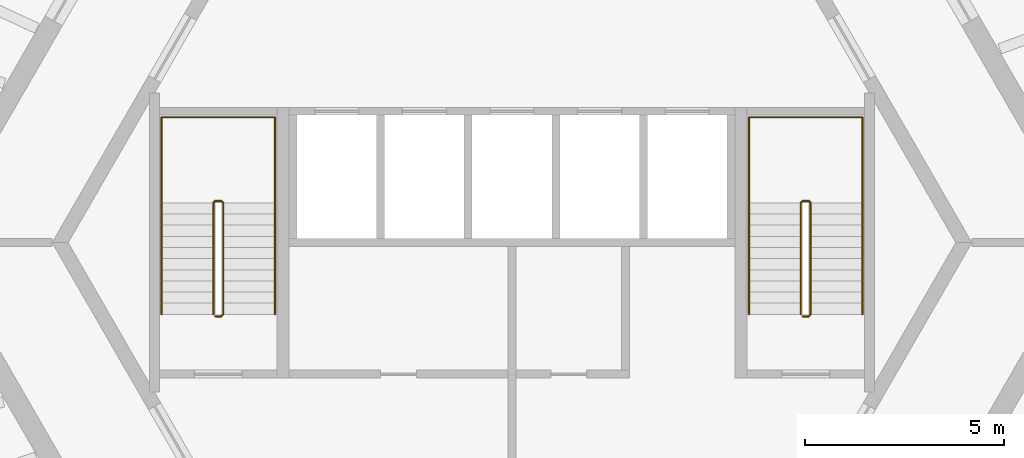
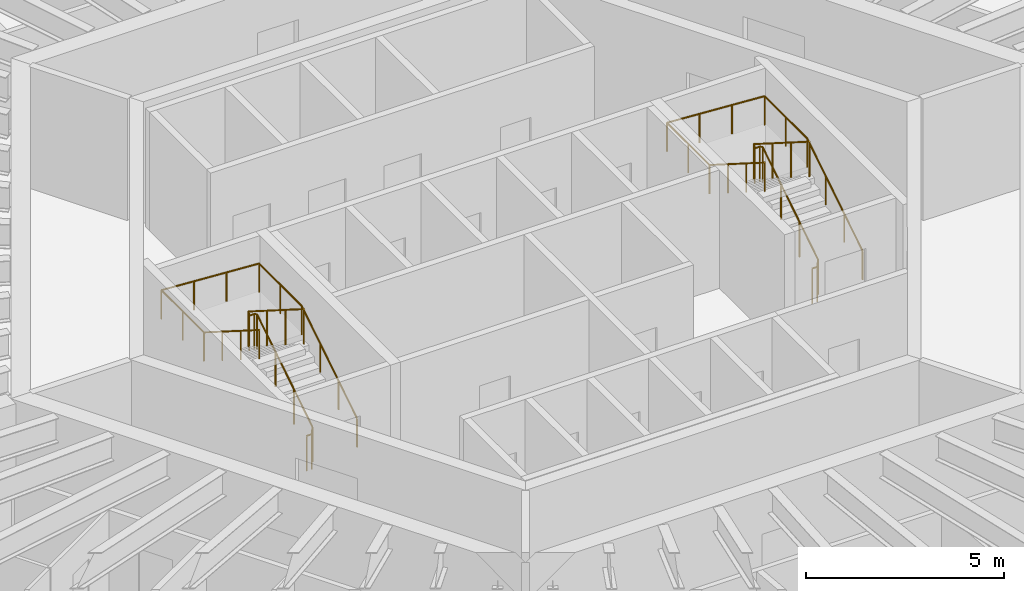
# One storey, part 10 of 10: 4 railings.
"""IFC4 building model written with IfcOpenShell, lengths in metres."""

from ifc_helpers import new_model, si_unit, direction, frame, origin, origin_2d, place, context, subcontext, project, spatial, circle, extrude, material, type_object, element, save


model = new_model("IFC4")

# Units and contexts
model_context = context("Model", 3, precision=1e-05, world=origin(), true_north=direction((0.0, 1.0)))
body_context = subcontext(model_context, "Body", "Model", "MODEL_VIEW")
ifc_project = project(units=[si_unit("LENGTHUNIT", "METRE"), si_unit("AREAUNIT", "SQUARE_METRE"), si_unit("VOLUMEUNIT", "CUBIC_METRE"), si_unit("PLANEANGLEUNIT", "RADIAN"), si_unit("MASSUNIT", "GRAM", prefix="KILO")], contexts=[model_context])

# Site, building, storey
site_placement = place(None, origin())
site = spatial("IfcSite", under=ifc_project, at=site_placement, CompositionType="ELEMENT")
building_placement = place(site_placement, origin())
building = spatial("IfcBuilding", under=site, at=building_placement, Name="Tarnside Tower", CompositionType="ELEMENT")
storey_placement = place(building_placement, frame((0.0, 0.0, 168.300048828125)))
storey = spatial("IfcBuildingStorey", under=building, at=storey_placement, Name="L39", CompositionType="ELEMENT", Elevation=168.300048828125)

# Railings
ifc_material = material(Name="Stainless steel", Category="steel")
railing_type_1 = type_object("IfcRailingType", Name="Stair guard 1100", PredefinedType="GUARDRAIL", material=ifc_material)
railing_1_placement = place(storey_placement, frame((7.300048828125, -1.85009765625, 0.0)))
element("IfcRailing", 1, at=railing_1_placement, inside=storey, type_object=railing_type_1, Name="L39 ST1 stair guard 1", PredefinedType="GUARDRAIL", context=body_context, shape_type="SweptSolid", body=[
    extrude(circle(Radius=0.02392578125, at=origin_2d()), frame((0.0, 0.0, 1.076171875), z_axis=(1.0, 0.0, 0.0), x_axis=(0.0, 1.0, 0.0)), (0.0, 0.0, 1.0), 0.14990234375),
    extrude(circle(Radius=0.02392578125, at=origin_2d()), frame((0.14990234375, 0.0, 1.076171875), z_axis=(0.262233686654, 0.262233686654, 0.928691007369), x_axis=(-0.707106781187, 0.707106781187, 0.0)), (0.0, 0.0, 1.0), 0.19091796875),
    extrude(circle(Radius=0.02392578125, at=origin_2d()), frame((0.199951171875, 0.050048828125, 1.25341796875), z_axis=(0.0, 0.844908973607, 0.534910110503), x_axis=(-1.0, 0.0, 0.0)), (0.0, 0.0, 1.0), 3.31396484375),
    extrude(circle(Radius=0.02392578125, at=origin_2d()), frame((0.199951171875, 2.85009765625, 3.02587890625), z_axis=(-0.707106781187, 0.707106781187, 0.0), x_axis=(-0.707106781187, -0.707106781187, 0.0)), (0.0, 0.0, 1.0), 0.07080078125),
    extrude(circle(Radius=0.02392578125, at=origin_2d()), frame((0.14990234375, 2.900146484375, 3.02587890625), z_axis=(-1.0, 0.0, 0.0), x_axis=(0.0, -1.0, 0.0)), (0.0, 0.0, 1.0), 0.14990234375),
    extrude(circle(Radius=0.02392578125, at=origin_2d()), frame((0.0, 2.900146484375, 3.02587890625), z_axis=(-0.262233686654, -0.262233686654, 0.928691007369), x_axis=(0.707106781187, -0.707106781187, 0.0)), (0.0, 0.0, 1.0), 0.19091796875),
    extrude(circle(Radius=0.02392578125, at=origin_2d()), frame((-0.050048828125, 2.85009765625, 3.203125), z_axis=(0.0, -0.844908973607, 0.534910110503), x_axis=(1.0, 0.0, 0.0)), (0.0, 0.0, 1.0), 3.31396484375),
    extrude(circle(Radius=0.02099609375, at=origin_2d()), origin(), (0.0, 0.0, 1.0), 1.052001953125),
    extrude(circle(Radius=0.02099609375, at=origin_2d()), frame((0.14990234375, 0.0, 0.0)), (0.0, 0.0, 1.0), 1.052001953125),
    extrude(circle(Radius=0.02099609375, at=origin_2d()), frame((0.199951171875, 0.050048828125, 0.17724609375)), (0.0, 0.0, 1.0), 1.052001953125),
    extrude(circle(Radius=0.02099609375, at=origin_2d()), frame((0.199951171875, 0.9833984375, 0.76806640625)), (0.0, 0.0, 1.0), 1.052001953125),
    extrude(circle(Radius=0.02099609375, at=origin_2d()), frame((0.199951171875, 1.916748046875, 1.359130859375)), (0.0, 0.0, 1.0), 1.052001953125),
    extrude(circle(Radius=0.02099609375, at=origin_2d()), frame((0.199951171875, 2.85009765625, 1.949951171875)), (0.0, 0.0, 1.0), 1.052001953125),
    extrude(circle(Radius=0.02099609375, at=origin_2d()), frame((0.14990234375, 2.900146484375, 1.949951171875)), (0.0, 0.0, 1.0), 1.052001953125),
    extrude(circle(Radius=0.02099609375, at=origin_2d()), frame((0.0, 2.900146484375, 1.949951171875)), (0.0, 0.0, 1.0), 1.052001953125),
    extrude(circle(Radius=0.02099609375, at=origin_2d()), frame((-0.050048828125, 2.85009765625, 2.127197265625)), (0.0, 0.0, 1.0), 1.052001953125),
    extrude(circle(Radius=0.02099609375, at=origin_2d()), frame((-0.050048828125, 1.916748046875, 2.718017578125)), (0.0, 0.0, 1.0), 1.052001953125),
    extrude(circle(Radius=0.02099609375, at=origin_2d()), frame((-0.050048828125, 0.9833984375, 3.30908203125)), (0.0, 0.0, 1.0), 1.052001953125),
    extrude(circle(Radius=0.02099609375, at=origin_2d()), frame((-0.050048828125, 0.050048828125, 3.89990234375)), (0.0, 0.0, 1.0), 1.052001953125),
])
railing_2_placement = place(storey_placement, frame((-7.449951171875, -1.85009765625, 0.0)))
element("IfcRailing", 2, at=railing_2_placement, inside=storey, type_object=railing_type_1, Name="L39 ST2 stair guard 1", PredefinedType="GUARDRAIL", context=body_context, shape_type="SweptSolid", body=[
    extrude(circle(Radius=0.02392578125, at=origin_2d()), frame((0.0, 0.0, 1.076171875), z_axis=(1.0, 0.0, 0.0), x_axis=(0.0, 1.0, 0.0)), (0.0, 0.0, 1.0), 0.14990234375),
    extrude(circle(Radius=0.02392578125, at=origin_2d()), frame((0.14990234375, 0.0, 1.076171875), z_axis=(0.262233686654, 0.262233686654, 0.928691007369), x_axis=(-0.707106781187, 0.707106781187, 0.0)), (0.0, 0.0, 1.0), 0.19091796875),
    extrude(circle(Radius=0.02392578125, at=origin_2d()), frame((0.199951171875, 0.050048828125, 1.25341796875), z_axis=(0.0, 0.844908973607, 0.534910110503), x_axis=(-1.0, 0.0, 0.0)), (0.0, 0.0, 1.0), 3.31396484375),
    extrude(circle(Radius=0.02392578125, at=origin_2d()), frame((0.199951171875, 2.85009765625, 3.02587890625), z_axis=(-0.707106781187, 0.707106781187, 0.0), x_axis=(-0.707106781187, -0.707106781187, 0.0)), (0.0, 0.0, 1.0), 0.07080078125),
    extrude(circle(Radius=0.02392578125, at=origin_2d()), frame((0.14990234375, 2.900146484375, 3.02587890625), z_axis=(-1.0, 0.0, 0.0), x_axis=(0.0, -1.0, 0.0)), (0.0, 0.0, 1.0), 0.14990234375),
    extrude(circle(Radius=0.02392578125, at=origin_2d()), frame((0.0, 2.900146484375, 3.02587890625), z_axis=(-0.262233686654, -0.262233686654, 0.928691007369), x_axis=(0.707106781187, -0.707106781187, 0.0)), (0.0, 0.0, 1.0), 0.19091796875),
    extrude(circle(Radius=0.02392578125, at=origin_2d()), frame((-0.050048828125, 2.85009765625, 3.203125), z_axis=(0.0, -0.844908973607, 0.534910110503), x_axis=(1.0, 0.0, 0.0)), (0.0, 0.0, 1.0), 3.31396484375),
    extrude(circle(Radius=0.02099609375, at=origin_2d()), origin(), (0.0, 0.0, 1.0), 1.052001953125),
    extrude(circle(Radius=0.02099609375, at=origin_2d()), frame((0.14990234375, 0.0, 0.0)), (0.0, 0.0, 1.0), 1.052001953125),
    extrude(circle(Radius=0.02099609375, at=origin_2d()), frame((0.199951171875, 0.050048828125, 0.17724609375)), (0.0, 0.0, 1.0), 1.052001953125),
    extrude(circle(Radius=0.02099609375, at=origin_2d()), frame((0.199951171875, 0.9833984375, 0.76806640625)), (0.0, 0.0, 1.0), 1.052001953125),
    extrude(circle(Radius=0.02099609375, at=origin_2d()), frame((0.199951171875, 1.916748046875, 1.359130859375)), (0.0, 0.0, 1.0), 1.052001953125),
    extrude(circle(Radius=0.02099609375, at=origin_2d()), frame((0.199951171875, 2.85009765625, 1.949951171875)), (0.0, 0.0, 1.0), 1.052001953125),
    extrude(circle(Radius=0.02099609375, at=origin_2d()), frame((0.14990234375, 2.900146484375, 1.949951171875)), (0.0, 0.0, 1.0), 1.052001953125),
    extrude(circle(Radius=0.02099609375, at=origin_2d()), frame((0.0, 2.900146484375, 1.949951171875)), (0.0, 0.0, 1.0), 1.052001953125),
    extrude(circle(Radius=0.02099609375, at=origin_2d()), frame((-0.050048828125, 2.85009765625, 2.127197265625)), (0.0, 0.0, 1.0), 1.052001953125),
    extrude(circle(Radius=0.02099609375, at=origin_2d()), frame((-0.050048828125, 1.916748046875, 2.718017578125)), (0.0, 0.0, 1.0), 1.052001953125),
    extrude(circle(Radius=0.02099609375, at=origin_2d()), frame((-0.050048828125, 0.9833984375, 3.30908203125)), (0.0, 0.0, 1.0), 1.052001953125),
    extrude(circle(Radius=0.02099609375, at=origin_2d()), frame((-0.050048828125, 0.050048828125, 3.89990234375)), (0.0, 0.0, 1.0), 1.052001953125),
])
railing_type_2 = type_object("IfcRailingType", Name="Stair handrail 900", PredefinedType="HANDRAIL", material=ifc_material)
railing_3_placement = place(storey_placement, frame((8.800048828125, -1.800048828125, 0.17724609375)))
element("IfcRailing", 3, at=railing_3_placement, inside=storey, type_object=railing_type_2, Name="L39 ST1 stair handrail 1", PredefinedType="HANDRAIL", context=body_context, shape_type="SweptSolid", body=[
    extrude(circle(Radius=0.02392578125, at=origin_2d()), frame((0.0, 0.0, 0.8857421875), z_axis=(0.0, 0.844908973607, 0.534910110503), x_axis=(-1.0, 0.0, 0.0)), (0.0, 0.0, 1.0), 3.31396484375),
    extrude(circle(Radius=0.02392578125, at=origin_2d()), frame((0.0, 2.800048828125, 2.65869140625), z_axis=(0.0, 1.0, 0.0), x_axis=(-1.0, 0.0, 0.0)), (0.0, 0.0, 1.0), 2.14990234375),
    extrude(circle(Radius=0.02392578125, at=origin_2d()), frame((0.0, 4.949951171875, 2.65869140625), z_axis=(-0.998071825391, 0.0, 0.06206956872), x_axis=(0.0, -1.0, 0.0)), (0.0, 0.0, 1.0), 2.855712890625),
    extrude(circle(Radius=0.02392578125, at=origin_2d()), frame((-2.85009765625, 4.949951171875, 2.8359375), z_axis=(0.0, -1.0, 0.0), x_axis=(1.0, 0.0, 0.0)), (0.0, 0.0, 1.0), 2.14990234375),
    extrude(circle(Radius=0.02392578125, at=origin_2d()), frame((-2.85009765625, 2.800048828125, 2.8359375), z_axis=(0.0, -0.844908973607, 0.534910110503), x_axis=(1.0, 0.0, 0.0)), (0.0, 0.0, 1.0), 3.31396484375),
    extrude(circle(Radius=0.02099609375, at=origin_2d()), origin(), (0.0, 0.0, 1.0), 0.86181640625),
    extrude(circle(Radius=0.02099609375, at=origin_2d()), frame((0.0, 0.933349609375, 0.5908203125)), (0.0, 0.0, 1.0), 0.86181640625),
    extrude(circle(Radius=0.02099609375, at=origin_2d()), frame((0.0, 1.86669921875, 1.181884765625)), (0.0, 0.0, 1.0), 0.86181640625),
    extrude(circle(Radius=0.02099609375, at=origin_2d()), frame((0.0, 2.800048828125, 1.772705078125)), (0.0, 0.0, 1.0), 0.86181640625),
    extrude(circle(Radius=0.02099609375, at=origin_2d()), frame((0.0, 3.875, 1.772705078125)), (0.0, 0.0, 1.0), 0.86181640625),
    extrude(circle(Radius=0.02099609375, at=origin_2d()), frame((0.0, 4.949951171875, 1.772705078125)), (0.0, 0.0, 1.0), 0.86181640625),
    extrude(circle(Radius=0.02099609375, at=origin_2d()), frame((-0.949951171875, 4.949951171875, 1.831787109375)), (0.0, 0.0, 1.0), 0.86181640625),
    extrude(circle(Radius=0.02099609375, at=origin_2d()), frame((-1.900146484375, 4.949951171875, 1.890869140625)), (0.0, 0.0, 1.0), 0.86181640625),
    extrude(circle(Radius=0.02099609375, at=origin_2d()), frame((-2.85009765625, 4.949951171875, 1.949951171875)), (0.0, 0.0, 1.0), 0.86181640625),
    extrude(circle(Radius=0.02099609375, at=origin_2d()), frame((-2.85009765625, 3.875, 1.949951171875)), (0.0, 0.0, 1.0), 0.86181640625),
    extrude(circle(Radius=0.02099609375, at=origin_2d()), frame((-2.85009765625, 2.800048828125, 1.949951171875)), (0.0, 0.0, 1.0), 0.86181640625),
    extrude(circle(Radius=0.02099609375, at=origin_2d()), frame((-2.85009765625, 1.86669921875, 2.540771484375)), (0.0, 0.0, 1.0), 0.86181640625),
    extrude(circle(Radius=0.02099609375, at=origin_2d()), frame((-2.85009765625, 0.933349609375, 3.1318359375)), (0.0, 0.0, 1.0), 0.86181640625),
    extrude(circle(Radius=0.02099609375, at=origin_2d()), frame((-2.85009765625, 0.0, 3.72265625)), (0.0, 0.0, 1.0), 0.86181640625),
])
railing_4_placement = place(storey_placement, frame((-5.949951171875, -1.800048828125, 0.17724609375)))
element("IfcRailing", 4, at=railing_4_placement, inside=storey, type_object=railing_type_2, Name="L39 ST2 stair handrail 1", PredefinedType="HANDRAIL", context=body_context, shape_type="SweptSolid", body=[
    extrude(circle(Radius=0.02392578125, at=origin_2d()), frame((0.0, 0.0, 0.8857421875), z_axis=(0.0, 0.844908973607, 0.534910110503), x_axis=(-1.0, 0.0, 0.0)), (0.0, 0.0, 1.0), 3.31396484375),
    extrude(circle(Radius=0.02392578125, at=origin_2d()), frame((0.0, 2.800048828125, 2.65869140625), z_axis=(0.0, 1.0, 0.0), x_axis=(-1.0, 0.0, 0.0)), (0.0, 0.0, 1.0), 2.14990234375),
    extrude(circle(Radius=0.02392578125, at=origin_2d()), frame((0.0, 4.949951171875, 2.65869140625), z_axis=(-0.998071825391, 0.0, 0.06206956872), x_axis=(0.0, -1.0, 0.0)), (0.0, 0.0, 1.0), 2.855712890625),
    extrude(circle(Radius=0.02392578125, at=origin_2d()), frame((-2.85009765625, 4.949951171875, 2.8359375), z_axis=(0.0, -1.0, 0.0), x_axis=(1.0, 0.0, 0.0)), (0.0, 0.0, 1.0), 2.14990234375),
    extrude(circle(Radius=0.02392578125, at=origin_2d()), frame((-2.85009765625, 2.800048828125, 2.8359375), z_axis=(0.0, -0.844908973607, 0.534910110503), x_axis=(1.0, 0.0, 0.0)), (0.0, 0.0, 1.0), 3.31396484375),
    extrude(circle(Radius=0.02099609375, at=origin_2d()), origin(), (0.0, 0.0, 1.0), 0.86181640625),
    extrude(circle(Radius=0.02099609375, at=origin_2d()), frame((0.0, 0.933349609375, 0.5908203125)), (0.0, 0.0, 1.0), 0.86181640625),
    extrude(circle(Radius=0.02099609375, at=origin_2d()), frame((0.0, 1.86669921875, 1.181884765625)), (0.0, 0.0, 1.0), 0.86181640625),
    extrude(circle(Radius=0.02099609375, at=origin_2d()), frame((0.0, 2.800048828125, 1.772705078125)), (0.0, 0.0, 1.0), 0.86181640625),
    extrude(circle(Radius=0.02099609375, at=origin_2d()), frame((0.0, 3.875, 1.772705078125)), (0.0, 0.0, 1.0), 0.86181640625),
    extrude(circle(Radius=0.02099609375, at=origin_2d()), frame((0.0, 4.949951171875, 1.772705078125)), (0.0, 0.0, 1.0), 0.86181640625),
    extrude(circle(Radius=0.02099609375, at=origin_2d()), frame((-0.949951171875, 4.949951171875, 1.831787109375)), (0.0, 0.0, 1.0), 0.86181640625),
    extrude(circle(Radius=0.02099609375, at=origin_2d()), frame((-1.900146484375, 4.949951171875, 1.890869140625)), (0.0, 0.0, 1.0), 0.86181640625),
    extrude(circle(Radius=0.02099609375, at=origin_2d()), frame((-2.85009765625, 4.949951171875, 1.949951171875)), (0.0, 0.0, 1.0), 0.86181640625),
    extrude(circle(Radius=0.02099609375, at=origin_2d()), frame((-2.85009765625, 3.875, 1.949951171875)), (0.0, 0.0, 1.0), 0.86181640625),
    extrude(circle(Radius=0.02099609375, at=origin_2d()), frame((-2.85009765625, 2.800048828125, 1.949951171875)), (0.0, 0.0, 1.0), 0.86181640625),
    extrude(circle(Radius=0.02099609375, at=origin_2d()), frame((-2.85009765625, 1.86669921875, 2.540771484375)), (0.0, 0.0, 1.0), 0.86181640625),
    extrude(circle(Radius=0.02099609375, at=origin_2d()), frame((-2.85009765625, 0.933349609375, 3.1318359375)), (0.0, 0.0, 1.0), 0.86181640625),
    extrude(circle(Radius=0.02099609375, at=origin_2d()), frame((-2.85009765625, 0.0, 3.72265625)), (0.0, 0.0, 1.0), 0.86181640625),
])

save(model, "model.ifc")
